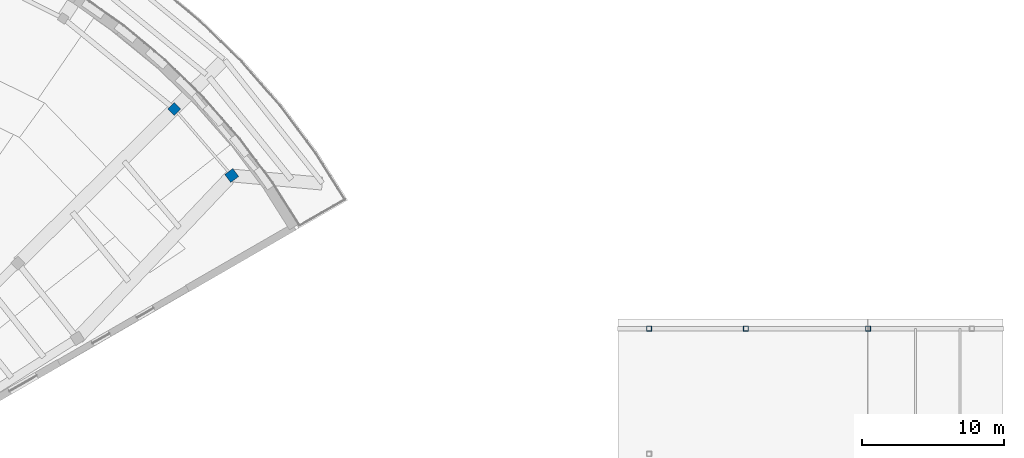
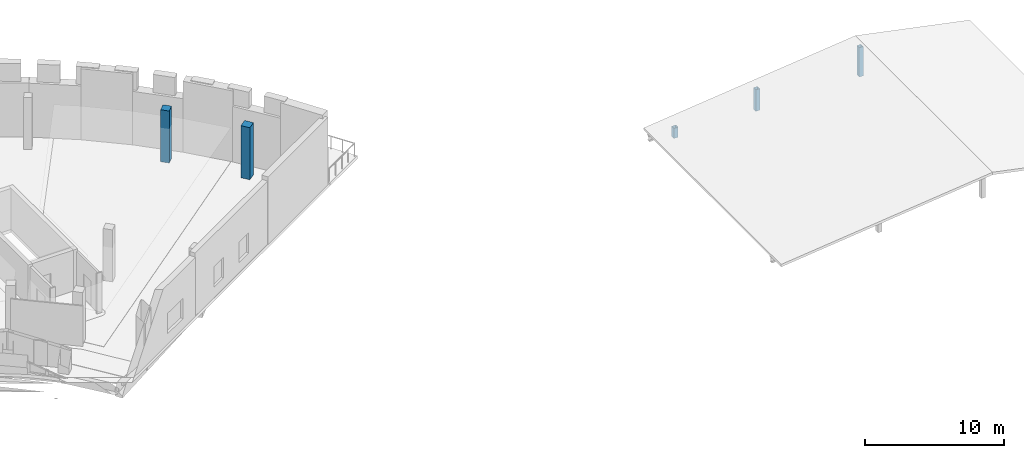
# One storey, part 3 of 27: 5 columns.
"""IFC4 building model written with IfcOpenShell, lengths in metres."""

from ifc_helpers import new_model, si_unit, direction, frame, origin, origin_2d, place, context, subcontext, project, spatial, rectangle, hollow_rectangle, extrude, material, material_profile, profile_set, type_object, element, save


model = new_model("IFC4")

# Units and contexts
model_context = context("Model", 3, precision=1e-05, world=origin(), true_north=direction((0.0, 1.0)))
body_context = subcontext(model_context, "Body", "Model", "MODEL_VIEW")
ifc_project = project(units=[si_unit("LENGTHUNIT", "METRE"), si_unit("AREAUNIT", "SQUARE_METRE"), si_unit("VOLUMEUNIT", "CUBIC_METRE"), si_unit("PLANEANGLEUNIT", "RADIAN"), si_unit("MASSUNIT", "GRAM", prefix="KILO")], contexts=[model_context])

# Site, building, storey
site_placement = place(None, origin())
site = spatial("IfcSite", under=ifc_project, at=site_placement, CompositionType="ELEMENT")
building_placement = place(site_placement, origin())
building = spatial("IfcBuilding", under=site, at=building_placement, Name="Soyqirgoq Riverine Aquarium", CompositionType="ELEMENT")
storey_placement = place(building_placement, frame((0.0, 0.0, 19.800048828125)))
storey = spatial("IfcBuildingStorey", under=building, at=storey_placement, Name="L05", CompositionType="ELEMENT", Elevation=19.800048828125)

# Columns
ifc_material_1 = material(Name="Concrete C40/50", Category="concrete")
ifc_material_profile_1 = material_profile(ifc_material_1, rectangle(XDim=0.64990234375, YDim=0.64990234375, at=origin_2d()), Name="RC 650x650")
ifc_profile_set_1 = profile_set([ifc_material_profile_1], Name="Concrete C40/50")
column_type_1 = type_object("IfcColumnType", Name="Col_RC_650x650", PredefinedType="COLUMN", material=ifc_profile_set_1)
column_1_placement = place(storey_placement, frame((89.216064453125, 89.75537109375, 0.0), z_axis=(0.0, 0.0, 1.0), x_axis=(0.712026045991, 0.702153052995, 0.0)))
element("IfcColumn", 1, at=column_1_placement, inside=storey, type_object=column_type_1, Name="V5 Column V5-CR4-02 L05", PredefinedType="COLUMN", context=body_context, shape_type="SweptSolid", body=[
    extrude(rectangle(XDim=0.64990234375, YDim=0.64990234375, at=origin_2d()), origin(), (0.0, 0.0, 1.0), 4.579833984375),
])
ifc_material_2 = material(Name="Concrete C40/50", Category="concrete")
ifc_material_profile_2 = material_profile(ifc_material_2, rectangle(XDim=0.699951171875, YDim=0.699951171875, at=origin_2d()), Name="RC 700x700")
ifc_profile_set_2 = profile_set([ifc_material_profile_2], Name="Concrete C40/50")
column_type_2 = type_object("IfcColumnType", Name="Col_RC_700x700", PredefinedType="COLUMN", material=ifc_profile_set_2)
column_2_placement = place(storey_placement, frame((93.25634765625, 85.07470703125, 0.0), z_axis=(0.0, 0.0, 1.0), x_axis=(0.798635510047, 0.601815023152, 0.0)))
element("IfcColumn", 2, at=column_2_placement, inside=storey, type_object=column_type_2, Name="V5 Column V5-CR4-01 L05", PredefinedType="COLUMN", context=body_context, shape_type="SweptSolid", body=[
    extrude(rectangle(XDim=0.699951171875, YDim=0.699951171875, at=origin_2d()), origin(), (0.0, 0.0, 1.0), 4.579833984375),
])
ifc_material_3 = material(Name="Structural steel S355", Category="steel")
ifc_material_profile_3 = material_profile(ifc_material_3, hollow_rectangle(XDim=0.35009765625, YDim=0.35009765625, WallThickness=0.01611328125, at=origin_2d()), Name="SHS 350x350x16")
ifc_profile_set_3 = profile_set([ifc_material_profile_3], Name="Structural steel S355")
column_type_3 = type_object("IfcColumnType", Name="Col_Steel_SHS350", PredefinedType="COLUMN", material=ifc_profile_set_3)
column_3_placement = place(storey_placement, frame((122.60009765625, 74.300048828125, -0.260009765625), z_axis=(0.0, 0.0, 1.0), x_axis=(1.0, 0.0, 0.0)))
element("IfcColumn", 3, at=column_3_placement, inside=storey, type_object=column_type_3, Name="V7 Roof Support Column W03", PredefinedType="COLUMN", context=body_context, shape_type="SweptSolid", body=[
    extrude(hollow_rectangle(XDim=0.35009765625, YDim=0.35009765625, WallThickness=0.01611328125, at=origin_2d()), origin(), (0.0, 0.0, 1.0), 0.873291015625),
])
column_4_placement = place(storey_placement, frame((138.0, 74.300048828125, -0.260009765625), z_axis=(0.0, 0.0, 1.0), x_axis=(1.0, 0.0, 0.0)))
element("IfcColumn", 4, at=column_4_placement, inside=storey, type_object=column_type_3, Name="V7 Roof Support Column M03", PredefinedType="COLUMN", context=body_context, shape_type="SweptSolid", body=[
    extrude(hollow_rectangle(XDim=0.35009765625, YDim=0.35009765625, WallThickness=0.01611328125, at=origin_2d()), origin(), (0.0, 0.0, 1.0), 2.576416015625),
])
column_5_placement = place(storey_placement, frame((129.39990234375, 74.300048828125, -0.260009765625), z_axis=(0.0, 0.0, 1.0), x_axis=(1.0, 0.0, 0.0)))
element("IfcColumn", 5, at=column_5_placement, inside=storey, type_object=column_type_3, Name="V7 Roof Support Column V7-C-16", PredefinedType="COLUMN", context=body_context, shape_type="SweptSolid", body=[
    extrude(hollow_rectangle(XDim=0.35009765625, YDim=0.35009765625, WallThickness=0.01611328125, at=origin_2d()), origin(), (0.0, 0.0, 1.0), 1.880859375),
])

save(model, "model.ifc")
